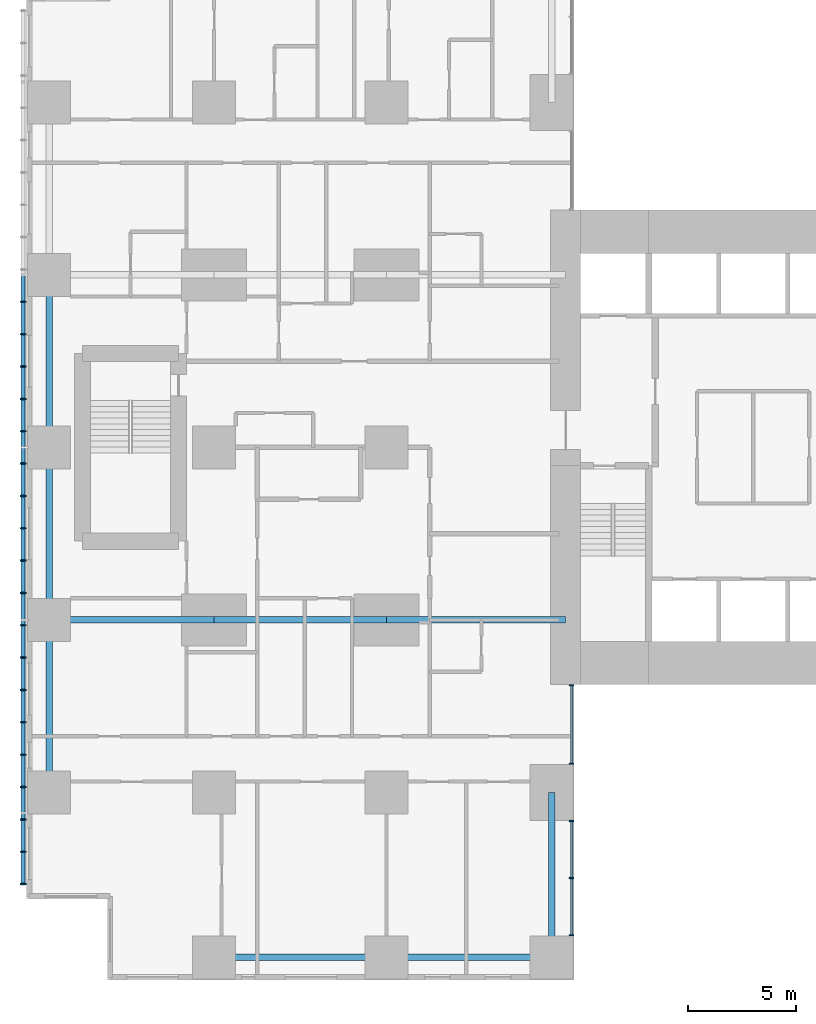
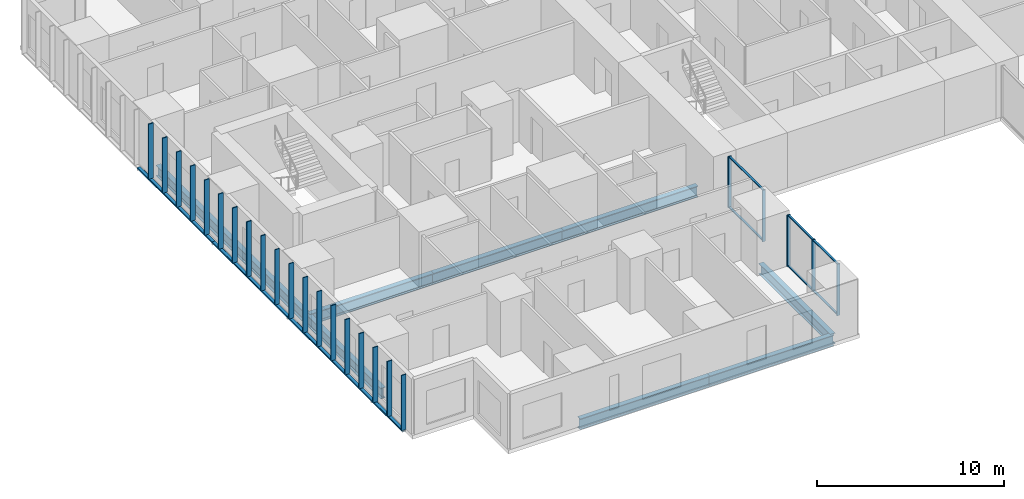
# One storey, part 2 of 21: 33 members, 9 beams, 2 elements without a shape of their own.
"""IFC4 building model written with IfcOpenShell, lengths in metres."""

import ifcopenshell
import ifcopenshell.guid

model = None  # the IFC model being written
_history = None  # IfcOwnerHistory: only IFC2X3 demands one
_inside = {}  # id of a spatial element -> (the spatial element, [elements in it])
_under = {}  # id of a project, library or spatial element -> (it, [spatial elements below it])
_declared = {}  # id of a project -> (the project, [libraries it declares])
_typed = {}  # id of a type object -> (the type object, [elements of that type])
_made_of = {}  # id of a material, layer set ... -> (it, [elements and type objects made of it])


def new_model(schema):
    """Start an empty IFC model of exactly this schema.

    Asked for "IFC4X3", IfcOpenShell would pick the latest addendum, in which some entities
    have other attributes; the version numbers below select the first issue.
    IFC2X3 requires an IfcOwnerHistory on every rooted entity: one is made here for all.
    """
    global model, _history
    if schema == "IFC4X3":
        model = ifcopenshell.file(schema_version=(4, 3, 0, 0))
    else:
        model = ifcopenshell.file(schema=schema)
    _inside.clear()
    _under.clear()
    _declared.clear()
    _typed.clear()
    _made_of.clear()
    _history = None
    if model.schema == "IFC2X3":
        org = make("IfcOrganization", Name="unknown")
        user = make(
            "IfcPersonAndOrganization",
            ThePerson=make("IfcPerson", FamilyName="unknown"),
            TheOrganization=org,
        )
        app = make(
            "IfcApplication",
            ApplicationDeveloper=org,
            Version="unknown",
            ApplicationFullName="unknown",
            ApplicationIdentifier="unknown",
        )
        _history = make(
            "IfcOwnerHistory",
            OwningUser=user,
            OwningApplication=app,
            ChangeAction="ADDED",
            CreationDate=0,
        )
    return model


def make(cls, **values):
    """One entity of the class cls with the attributes given. An attribute that is None is left unset."""
    return model.create_entity(
        cls, **{name: value for name, value in values.items() if value is not None}
    )


def rooted(cls, **values):
    """An entity with a GlobalId (a new one), such as an element, a storey or a relation."""
    return make(cls, GlobalId=ifcopenshell.guid.new(), OwnerHistory=_history, **values)


def si_unit(unit_type, name, prefix=None):
    """IfcSIUnit, for example si_unit("LENGTHUNIT", "METRE", prefix="MILLI")."""
    return make("IfcSIUnit", UnitType=unit_type, Prefix=prefix, Name=name)


def assignment(units):
    """IfcUnitAssignment: the units of a project."""
    return None if units is None else make("IfcUnitAssignment", Units=units)


def point(xyz):
    """IfcCartesianPoint."""
    return None if xyz is None else make("IfcCartesianPoint", Coordinates=xyz)


def direction(xyz):
    """IfcDirection."""
    return None if xyz is None else make("IfcDirection", DirectionRatios=xyz)


def frame(location, z_axis=None, x_axis=None):
    """IfcAxis2Placement3D, a coordinate frame: its origin and axes. An axis left out is left unset."""
    return make(
        "IfcAxis2Placement3D",
        Location=point(location),
        Axis=direction(z_axis),
        RefDirection=direction(x_axis),
    )


def frame_2d(location, x_axis=None):
    """IfcAxis2Placement2D, a coordinate frame in the plane: its origin and x axis."""
    return make(
        "IfcAxis2Placement2D", Location=point(location), RefDirection=direction(x_axis)
    )


def origin():
    """The frame at (0, 0, 0) with its axes left unset."""
    return frame((0.0, 0.0, 0.0))


def origin_2d():
    """The frame at (0, 0) in the plane with its x axis left unset."""
    return frame_2d((0.0, 0.0))


def place(relative_to, where):
    """IfcLocalPlacement: puts the frame where relative to a parent placement (None: the world)."""
    return make(
        "IfcLocalPlacement", PlacementRelTo=relative_to, RelativePlacement=where
    )


def context(
    kind, dimensions, precision=None, world=None, true_north=None, identifier=None
):
    """IfcGeometricRepresentationContext, for example the 3D "Model" context."""
    return make(
        "IfcGeometricRepresentationContext",
        ContextIdentifier=identifier,
        ContextType=kind,
        CoordinateSpaceDimension=dimensions,
        Precision=precision,
        WorldCoordinateSystem=world,
        TrueNorth=true_north,
    )


def subcontext(parent, identifier, kind, view, scale=None):
    """IfcGeometricRepresentationSubContext, for example "Body" below "Model"."""
    return make(
        "IfcGeometricRepresentationSubContext",
        ContextIdentifier=identifier,
        ContextType=kind,
        ParentContext=parent,
        TargetScale=scale,
        TargetView=view,
    )


def project(units=None, contexts=None):
    """IfcProject with its units and contexts."""
    return rooted(
        "IfcProject",
        Name="project",
        RepresentationContexts=contexts,
        UnitsInContext=assignment(units),
    )


def spatial(cls, under=None, at=None, **own):
    """A site, building, storey or space (cls), placed at a placement, below another one or the project."""
    s = rooted(cls, ObjectPlacement=at, **own)
    if under is not None:
        _under.setdefault(under.id(), (under, []))[1].append(s)
    return s


def profile(cls, at=None, kind="AREA", **sizes):
    """A parametric profile (cls). Its sizes go by their IFC names, for example OverallWidth=200.0."""
    return make(cls, ProfileType=kind, Position=at, **sizes)


def rectangle(**sizes):
    """IfcRectangleProfileDef."""
    return profile("IfcRectangleProfileDef", **sizes)


def hollow_rectangle(**sizes):
    """IfcRectangleHollowProfileDef."""
    return profile("IfcRectangleHollowProfileDef", **sizes)


def i_section(**sizes):
    """IfcIShapeProfileDef."""
    return profile("IfcIShapeProfileDef", **sizes)


def extrude(swept, where, along, depth):
    """IfcExtrudedAreaSolid: the profile swept, set in the frame where, extruded along a direction by depth."""
    return make(
        "IfcExtrudedAreaSolid",
        SweptArea=swept,
        Position=where,
        ExtrudedDirection=direction(along),
        Depth=depth,
    )


def shape(context_of_items, identifier, shape_type, items):
    """IfcShapeRepresentation: the items that make up one representation, for example the "Body"."""
    return make(
        "IfcShapeRepresentation",
        ContextOfItems=context_of_items,
        RepresentationIdentifier=identifier,
        RepresentationType=shape_type,
        Items=items,
    )


def material(Name=None, Category=None):
    """IfcMaterial."""
    return make("IfcMaterial", Name=Name, Category=Category)


def layer(
    of_material, thickness, ventilated=None, Name=None, Category=None, Priority=None
):
    """IfcMaterialLayer: one layer of a wall or slab, of a material (None: an air gap)."""
    return make(
        "IfcMaterialLayer",
        Material=of_material,
        LayerThickness=thickness,
        IsVentilated=ventilated,
        Name=Name,
        Category=Category,
        Priority=Priority,
    )


def layer_set(layers, Name=None):
    """IfcMaterialLayerSet."""
    return make("IfcMaterialLayerSet", MaterialLayers=layers, LayerSetName=Name)


def material_profile(
    of_material, cross_section, Name=None, Category=None, Priority=None
):
    """IfcMaterialProfile: a cross section and its material."""
    return make(
        "IfcMaterialProfile",
        Name=Name,
        Material=of_material,
        Profile=cross_section,
        Priority=Priority,
        Category=Category,
    )


def profile_set(profiles, Name=None, composite=None):
    """IfcMaterialProfileSet."""
    return make(
        "IfcMaterialProfileSet",
        Name=Name,
        MaterialProfiles=profiles,
        CompositeProfile=composite,
    )


def made_of(thing, what):
    """Note that an element or type object is made of a material, layer set ...; save() writes the relation."""
    if what is not None:
        _made_of.setdefault(what.id(), (what, []))[1].append(thing)
    return thing


def type_object(cls, material=None, **own):
    """A type object (cls), such as IfcWallType, which elements share."""
    return made_of(rooted(cls, **own), material)


def element(
    cls,
    number,
    at=None,
    inside=None,
    cuts=None,
    type_object=None,
    material=None,
    context=None,
    identifier="Body",
    shape_type=None,
    held_by="IfcProductDefinitionShape",
    body=None,
    shapes=None,
    **own,
):
    """One element of the class cls, such as IfcWall. Its Tag is "e" and its number.

    at: its placement. inside: the storey or other place that contains it. cuts: it is an
    opening in that element (IfcRelVoidsElement). A single representation is given by context,
    identifier, shape_type and body (its items); several are given by shapes. held_by: the class
    of the entity that holds the representations. save() writes the other relations.
    """
    e = rooted(cls, Tag="e%d" % number, ObjectPlacement=at, **own)
    if body is not None:
        shapes = [shape(context, identifier, shape_type, body)]
    if shapes is not None:
        e.Representation = make(held_by, Representations=shapes)
    if inside is not None:
        _inside.setdefault(inside.id(), (inside, []))[1].append(e)
    if cuts is not None:
        rooted(
            "IfcRelVoidsElement", RelatingBuildingElement=cuts, RelatedOpeningElement=e
        )
    if type_object is not None:
        _typed.setdefault(type_object.id(), (type_object, []))[1].append(e)
    return made_of(e, material)


def aggregate(whole, parts):
    """IfcRelAggregates: a whole, such as a stair, and the parts it consists of."""
    return rooted("IfcRelAggregates", RelatingObject=whole, RelatedObjects=parts)


def save(model, path):
    """Write the relations noted so far, then the file.

    IfcRelAggregates (storeys below a building ...), IfcRelContainedInSpatialStructure (elements
    in a storey), IfcRelDefinesByType, IfcRelAssociatesMaterial and IfcRelDeclares: one each for
    every whole, place, type object, material and project.
    """
    for whole, parts in _under.values():
        aggregate(whole, parts)
    for where, things in _inside.values():
        rooted(
            "IfcRelContainedInSpatialStructure",
            RelatedElements=things,
            RelatingStructure=where,
        )
    for kind, things in _typed.values():
        rooted("IfcRelDefinesByType", RelatedObjects=things, RelatingType=kind)
    for what, things in _made_of.values():
        rooted("IfcRelAssociatesMaterial", RelatedObjects=things, RelatingMaterial=what)
    for by, libraries in _declared.values():
        rooted("IfcRelDeclares", RelatingContext=by, RelatedDefinitions=libraries)
    model.write(path)


model = new_model("IFC4")

# Units and contexts
model_context = context("Model", 3, precision=1e-05, world=origin(), true_north=direction((0.0, 1.0)))
body_context = subcontext(model_context, "Body", "Model", "MODEL_VIEW")
ifc_project = project(units=[si_unit("LENGTHUNIT", "METRE"), si_unit("AREAUNIT", "SQUARE_METRE"), si_unit("VOLUMEUNIT", "CUBIC_METRE"), si_unit("PLANEANGLEUNIT", "RADIAN"), si_unit("MASSUNIT", "GRAM", prefix="KILO")], contexts=[model_context])

# Site, building, storey
site_placement = place(None, origin())
site = spatial("IfcSite", under=ifc_project, at=site_placement, CompositionType="ELEMENT")
building_placement = place(site_placement, origin())
building = spatial("IfcBuilding", under=site, at=building_placement, Name="Cleftline Residences", CompositionType="ELEMENT")
storey_placement = place(building_placement, frame((0.0, 0.0, 125.0)))
storey = spatial("IfcBuildingStorey", under=building, at=storey_placement, Name="L32", CompositionType="ELEMENT", Elevation=125.0)

# Members
ifc_material_1 = material(Name="Steel S355, hot-dip galvanised", Category="steel")
ifc_material_profile_1 = material_profile(ifc_material_1, hollow_rectangle(XDim=0.10009765625, YDim=0.199951171875, WallThickness=0.008056640625, InnerFilletRadius=0.008056640625, OuterFilletRadius=0.011962890625, at=origin_2d()))
ifc_profile_set_1 = profile_set([ifc_material_profile_1], Name="Steel S355, hot-dip galvanised")
member_type_1 = type_object("IfcMemberType", Name="BAGUETTE CARRIER RHS 200X100X8", PredefinedType="USERDEFINED", material=ifc_profile_set_1)
for number, where, z_axis, x_axis, name in (
    (1, (-0.85009765625, 32.0, -0.050048828125), (0.0, -1.0, 0.0), (0.0, 0.0, 1.0), "Baguette carrier"),
    (2, (-0.85009765625, 24.0, -0.050048828125), (0.0, -1.0, 0.0), (0.0, 0.0, 1.0), "Baguette carrier"),
):
    element("IfcMember", number, at=place(storey_placement, frame(where, z_axis=z_axis, x_axis=x_axis)), inside=storey, type_object=member_type_1, Name=name, ObjectType="BAGUETTE CARRIER", PredefinedType="USERDEFINED", context=body_context, shape_type="SweptSolid", body=[
        extrude(hollow_rectangle(XDim=0.10009765625, YDim=0.199951171875, WallThickness=0.008056640625, InnerFilletRadius=0.008056640625, OuterFilletRadius=0.011962890625, at=origin_2d()), origin(), (0.0, 0.0, 1.0), 8.0),
    ])
member_1_placement = place(storey_placement, frame((-0.85009765625, 16.0, -0.050048828125), z_axis=(0.0, -1.0, 0.0), x_axis=(0.0, 0.0, 1.0)))
element("IfcMember", 3, at=member_1_placement, inside=storey, type_object=member_type_1, Name="Baguette carrier", ObjectType="BAGUETTE CARRIER", PredefinedType="USERDEFINED", context=body_context, shape_type="SweptSolid", body=[
    extrude(hollow_rectangle(XDim=0.10009765625, YDim=0.199951171875, WallThickness=0.008056640625, InnerFilletRadius=0.008056640625, OuterFilletRadius=0.011962890625, at=origin_2d()), origin(), (0.0, 0.0, 1.0), 12.300048828125),
])

# Beams
ifc_material_2 = material(Name="Steel S355", Category="steel")
ifc_material_profile_2 = material_profile(ifc_material_2, i_section(OverallWidth=0.300048828125, OverallDepth=0.699951171875, WebThickness=0.01708984375, FlangeThickness=0.031982421875, FilletRadius=0.027099609375, at=origin_2d()))
ifc_profile_set_2 = profile_set([ifc_material_profile_2], Name="Steel S355")
beam_type_1 = type_object("IfcBeamType", Name="BEAM HEB 700", PredefinedType="BEAM", material=ifc_profile_set_2)
for number, where, z_axis, x_axis, name in (
    (4, (0.35009765625, 8.0, -0.60009765625), (0.0, 1.0, 0.0), (-1.0, 0.0, 0.0), "Edge beam"),
    (5, (0.35009765625, 16.0, -0.60009765625), (0.0, 1.0, 0.0), (-1.0, 0.0, 0.0), "Edge beam"),
    (6, (0.35009765625, 24.0, -0.60009765625), (0.0, 1.0, 0.0), (-1.0, 0.0, 0.0), "Edge beam"),
    (7, (8.0, 0.35009765625, -0.60009765625), (1.0, 0.0, 0.0), (0.0, 1.0, 0.0), "Edge beam"),
):
    element("IfcBeam", number, at=place(storey_placement, frame(where, z_axis=z_axis, x_axis=x_axis)), inside=storey, type_object=beam_type_1, Name=name, PredefinedType="BEAM", context=body_context, shape_type="SweptSolid", body=[
        extrude(i_section(OverallWidth=0.300048828125, OverallDepth=0.699951171875, WebThickness=0.01708984375, FlangeThickness=0.031982421875, FilletRadius=0.027099609375, at=origin_2d()), origin(), (0.0, 0.0, 1.0), 8.0),
    ])
for number, where, z_axis, x_axis, name in (
    (8, (16.0, 0.35009765625, -0.60009765625), (1.0, 0.0, 0.0), (0.0, 1.0, 0.0), "Edge beam"),
    (9, (23.64990234375, 0.35009765625, -0.60009765625), (0.0, 1.0, 0.0), (-1.0, 0.0, 0.0), "Edge beam"),
):
    element("IfcBeam", number, at=place(storey_placement, frame(where, z_axis=z_axis, x_axis=x_axis)), inside=storey, type_object=beam_type_1, Name=name, PredefinedType="BEAM", context=body_context, shape_type="SweptSolid", body=[
        extrude(i_section(OverallWidth=0.300048828125, OverallDepth=0.699951171875, WebThickness=0.01708984375, FlangeThickness=0.031982421875, FilletRadius=0.027099609375, at=origin_2d()), origin(), (0.0, 0.0, 1.0), 7.64990234375),
    ])
ifc_material_3 = material(Name="Steel S355", Category="steel")
ifc_material_profile_3 = material_profile(ifc_material_3, i_section(OverallWidth=0.303955078125, OverallDepth=0.716064453125, WebThickness=0.02099609375, FlangeThickness=0.0400390625, FilletRadius=0.027099609375, at=origin_2d()))
ifc_profile_set_3 = profile_set([ifc_material_profile_3], Name="Steel S355")
beam_type_2 = type_object("IfcBeamType", Name="BEAM HEM 700", PredefinedType="BEAM", material=ifc_profile_set_3)
beam_1_placement = place(storey_placement, frame((0.35009765625, 16.0, -0.60791015625), z_axis=(1.0, 0.0, 0.0), x_axis=(0.0, 1.0, 0.0)))
element("IfcBeam", 10, at=beam_1_placement, inside=storey, type_object=beam_type_2, Name="Band beam", PredefinedType="BEAM", context=body_context, shape_type="SweptSolid", body=[
    extrude(i_section(OverallWidth=0.303955078125, OverallDepth=0.716064453125, WebThickness=0.02099609375, FlangeThickness=0.0400390625, FilletRadius=0.027099609375, at=origin_2d()), origin(), (0.0, 0.0, 1.0), 7.64990234375),
])
beam_2_placement = place(storey_placement, frame((8.0, 16.0, -0.60791015625), z_axis=(1.0, 0.0, 0.0), x_axis=(0.0, 1.0, 0.0)))
element("IfcBeam", 11, at=beam_2_placement, inside=storey, type_object=beam_type_2, Name="Band beam", PredefinedType="BEAM", context=body_context, shape_type="SweptSolid", body=[
    extrude(i_section(OverallWidth=0.303955078125, OverallDepth=0.716064453125, WebThickness=0.02099609375, FlangeThickness=0.0400390625, FilletRadius=0.027099609375, at=origin_2d()), origin(), (0.0, 0.0, 1.0), 8.0),
])
beam_3_placement = place(storey_placement, frame((16.0, 16.0, -0.60791015625), z_axis=(1.0, 0.0, 0.0), x_axis=(0.0, 1.0, 0.0)))
element("IfcBeam", 12, at=beam_3_placement, inside=storey, type_object=beam_type_2, Name="Band beam", PredefinedType="BEAM", context=body_context, shape_type="SweptSolid", body=[
    extrude(i_section(OverallWidth=0.303955078125, OverallDepth=0.716064453125, WebThickness=0.02099609375, FlangeThickness=0.0400390625, FilletRadius=0.027099609375, at=origin_2d()), origin(), (0.0, 0.0, 1.0), 8.300048828125),
])

# Curtain wall, members
ifc_material_4 = material(Name="Aluminium framed curtain wall", Category="aluminium")
ifc_layer = layer(ifc_material_4, 0.199951171875)
ifc_layer_set = layer_set([ifc_layer], Name="CW1 CLEFT GLAZING")
curtain_wall_type = type_object("IfcCurtainWallType", Name="CW1 CLEFT GLAZING", PredefinedType="NOTDEFINED", material=ifc_layer_set)
curtain_wall_1_placement = place(storey_placement, origin())
curtain_wall_1 = element("IfcCurtainWall", 13, at=curtain_wall_1_placement, inside=storey, type_object=curtain_wall_type, Name="Curtain wall CW1", PredefinedType="NOTDEFINED")
ifc_material_5 = material(Name="Aluminium mullion", Category="aluminium")
ifc_material_profile_4 = material_profile(ifc_material_5, rectangle(XDim=0.199951171875, YDim=0.06005859375, at=origin_2d()))
ifc_profile_set_4 = profile_set([ifc_material_profile_4], Name="Aluminium mullion")
member_type_2 = type_object("IfcMemberType", Name="CW1 MULLION", PredefinedType="MULLION", material=ifc_profile_set_4)
member_2_placement = place(storey_placement, frame((24.574951171875, 1.3798828125, 0.0), z_axis=(0.0, 0.0, 1.0), x_axis=(-1.0, 0.0, 0.0)))
member_2 = element("IfcMember", 14, at=member_2_placement, type_object=member_type_2, Name="CW1 mullion 1", PredefinedType="MULLION", context=body_context, shape_type="SweptSolid", body=[
    extrude(rectangle(XDim=0.199951171875, YDim=0.06005859375, at=origin_2d()), origin(), (0.0, 0.0, 1.0), 3.35009765625),
])
member_3_placement = place(storey_placement, frame((24.574951171875, 4.02490234375, 0.0), z_axis=(0.0, 0.0, 1.0), x_axis=(-1.0, 0.0, 0.0)))
member_3 = element("IfcMember", 15, at=member_3_placement, type_object=member_type_2, Name="CW1 mullion 2", PredefinedType="MULLION", context=body_context, shape_type="SweptSolid", body=[
    extrude(rectangle(XDim=0.199951171875, YDim=0.06005859375, at=origin_2d()), origin(), (0.0, 0.0, 1.0), 3.35009765625),
])
member_4_placement = place(storey_placement, frame((24.574951171875, 6.669921875, 0.0), z_axis=(0.0, 0.0, 1.0), x_axis=(-1.0, 0.0, 0.0)))
member_4 = element("IfcMember", 16, at=member_4_placement, type_object=member_type_2, Name="CW1 mullion 3", PredefinedType="MULLION", context=body_context, shape_type="SweptSolid", body=[
    extrude(rectangle(XDim=0.199951171875, YDim=0.06005859375, at=origin_2d()), origin(), (0.0, 0.0, 1.0), 3.35009765625),
])

curtain_wall_2_placement = place(storey_placement, origin())
curtain_wall_2 = element("IfcCurtainWall", 17, at=curtain_wall_2_placement, inside=storey, type_object=curtain_wall_type, Name="Curtain wall CW1", PredefinedType="NOTDEFINED")
member_5_placement = place(storey_placement, frame((24.574951171875, 9.330078125, 0.0), z_axis=(0.0, 0.0, 1.0), x_axis=(-1.0, 0.0, 0.0)))
member_5 = element("IfcMember", 18, at=member_5_placement, type_object=member_type_2, Name="CW1 mullion 1", PredefinedType="MULLION", context=body_context, shape_type="SweptSolid", body=[
    extrude(rectangle(XDim=0.199951171875, YDim=0.06005859375, at=origin_2d()), origin(), (0.0, 0.0, 1.0), 3.35009765625),
])
member_6_placement = place(storey_placement, frame((24.574951171875, 12.969970703125, 0.0), z_axis=(0.0, 0.0, 1.0), x_axis=(-1.0, 0.0, 0.0)))
member_6 = element("IfcMember", 19, at=member_6_placement, type_object=member_type_2, Name="CW1 mullion 2", PredefinedType="MULLION", context=body_context, shape_type="SweptSolid", body=[
    extrude(rectangle(XDim=0.199951171875, YDim=0.06005859375, at=origin_2d()), origin(), (0.0, 0.0, 1.0), 3.35009765625),
])

# Member
ifc_material_6 = material(Name="Aluminium transom", Category="aluminium")
ifc_material_profile_5 = material_profile(ifc_material_6, rectangle(XDim=0.1201171875, YDim=0.06005859375, at=origin_2d()))
ifc_profile_set_5 = profile_set([ifc_material_profile_5], Name="Aluminium transom")
member_type_3 = type_object("IfcMemberType", Name="CW1 TRANSOM", PredefinedType="USERDEFINED", material=ifc_profile_set_5)
member_7_placement = place(storey_placement, frame((24.574951171875, 1.409912109375, 0.030029296875), z_axis=(0.0, 1.0, 0.0), x_axis=(-1.0, 0.0, 0.0)))
member_7 = element("IfcMember", 20, at=member_7_placement, type_object=member_type_3, Name="CW1 transom 1.1", ObjectType="TRANSOM", PredefinedType="USERDEFINED", context=body_context, shape_type="SweptSolid", body=[
    extrude(rectangle(XDim=0.1201171875, YDim=0.06005859375, at=origin_2d()), origin(), (0.0, 0.0, 1.0), 2.585205078125),
])

member_8_placement = place(storey_placement, frame((24.574951171875, 1.409912109375, 3.320068359375), z_axis=(0.0, 1.0, 0.0), x_axis=(-1.0, 0.0, 0.0)))
member_8 = element("IfcMember", 21, at=member_8_placement, type_object=member_type_3, Name="CW1 transom 1.2", ObjectType="TRANSOM", PredefinedType="USERDEFINED", context=body_context, shape_type="SweptSolid", body=[
    extrude(rectangle(XDim=0.1201171875, YDim=0.06005859375, at=origin_2d()), origin(), (0.0, 0.0, 1.0), 2.585205078125),
])

member_9_placement = place(storey_placement, frame((24.574951171875, 4.054931640625, 0.030029296875), z_axis=(0.0, 1.0, 0.0), x_axis=(-1.0, 0.0, 0.0)))
member_9 = element("IfcMember", 22, at=member_9_placement, type_object=member_type_3, Name="CW1 transom 2.1", ObjectType="TRANSOM", PredefinedType="USERDEFINED", context=body_context, shape_type="SweptSolid", body=[
    extrude(rectangle(XDim=0.1201171875, YDim=0.06005859375, at=origin_2d()), origin(), (0.0, 0.0, 1.0), 2.5849609375),
])

member_10_placement = place(storey_placement, frame((24.574951171875, 4.054931640625, 3.320068359375), z_axis=(0.0, 1.0, 0.0), x_axis=(-1.0, 0.0, 0.0)))
member_10 = element("IfcMember", 23, at=member_10_placement, type_object=member_type_3, Name="CW1 transom 2.2", ObjectType="TRANSOM", PredefinedType="USERDEFINED", context=body_context, shape_type="SweptSolid", body=[
    extrude(rectangle(XDim=0.1201171875, YDim=0.06005859375, at=origin_2d()), origin(), (0.0, 0.0, 1.0), 2.5849609375),
])

aggregate(curtain_wall_1, [member_2, member_3, member_4, member_7, member_8, member_9, member_10])

member_11_placement = place(storey_placement, frame((24.574951171875, 9.360107421875, 0.030029296875), z_axis=(0.0, 1.0, 0.0), x_axis=(-1.0, 0.0, 0.0)))
member_11 = element("IfcMember", 24, at=member_11_placement, type_object=member_type_3, Name="CW1 transom 1.1", ObjectType="TRANSOM", PredefinedType="USERDEFINED", context=body_context, shape_type="SweptSolid", body=[
    extrude(rectangle(XDim=0.1201171875, YDim=0.06005859375, at=origin_2d()), origin(), (0.0, 0.0, 1.0), 3.579833984375),
])

member_12_placement = place(storey_placement, frame((24.574951171875, 9.360107421875, 3.320068359375), z_axis=(0.0, 1.0, 0.0), x_axis=(-1.0, 0.0, 0.0)))
member_12 = element("IfcMember", 25, at=member_12_placement, type_object=member_type_3, Name="CW1 transom 1.2", ObjectType="TRANSOM", PredefinedType="USERDEFINED", context=body_context, shape_type="SweptSolid", body=[
    extrude(rectangle(XDim=0.1201171875, YDim=0.06005859375, at=origin_2d()), origin(), (0.0, 0.0, 1.0), 3.579833984375),
])

aggregate(curtain_wall_2, [member_5, member_6, member_11, member_12])

# Members
ifc_material_7 = material(Name="Extruded terracotta", Category="masonry")
ifc_material_profile_6 = material_profile(ifc_material_7, rectangle(XDim=0.06005859375, YDim=0.300048828125, at=origin_2d()))
ifc_profile_set_6 = profile_set([ifc_material_profile_6], Name="Extruded terracotta")
member_type_4 = type_object("IfcMemberType", Name="TERRACOTTA BAGUETTE 60X300", PredefinedType="USERDEFINED", material=ifc_profile_set_6)
for number, where, z_axis, x_axis, name in (
    (26, (-0.85009765625, 30.75, 0.0), (0.0, 0.0, 1.0), (0.0, 1.0, 0.0), "Terracotta baguette"),
    (27, (-0.85009765625, 29.25, 0.0), (0.0, 0.0, 1.0), (0.0, 1.0, 0.0), "Terracotta baguette"),
    (28, (-0.85009765625, 27.75, 0.0), (0.0, 0.0, 1.0), (0.0, 1.0, 0.0), "Terracotta baguette"),
    (29, (-0.85009765625, 26.25, 0.0), (0.0, 0.0, 1.0), (0.0, 1.0, 0.0), "Terracotta baguette"),
    (30, (-0.85009765625, 24.75, 0.0), (0.0, 0.0, 1.0), (0.0, 1.0, 0.0), "Terracotta baguette"),
    (31, (-0.85009765625, 23.25, 0.0), (0.0, 0.0, 1.0), (0.0, 1.0, 0.0), "Terracotta baguette"),
    (32, (-0.85009765625, 21.75, 0.0), (0.0, 0.0, 1.0), (0.0, 1.0, 0.0), "Terracotta baguette"),
    (33, (-0.85009765625, 20.25, 0.0), (0.0, 0.0, 1.0), (0.0, 1.0, 0.0), "Terracotta baguette"),
    (34, (-0.85009765625, 18.75, 0.0), (0.0, 0.0, 1.0), (0.0, 1.0, 0.0), "Terracotta baguette"),
    (35, (-0.85009765625, 17.25, 0.0), (0.0, 0.0, 1.0), (0.0, 1.0, 0.0), "Terracotta baguette"),
    (36, (-0.85009765625, 15.75, 0.0), (0.0, 0.0, 1.0), (0.0, 1.0, 0.0), "Terracotta baguette"),
    (37, (-0.85009765625, 14.25, 0.0), (0.0, 0.0, 1.0), (0.0, 1.0, 0.0), "Terracotta baguette"),
    (38, (-0.85009765625, 12.75, 0.0), (0.0, 0.0, 1.0), (0.0, 1.0, 0.0), "Terracotta baguette"),
    (39, (-0.85009765625, 11.25, 0.0), (0.0, 0.0, 1.0), (0.0, 1.0, 0.0), "Terracotta baguette"),
    (40, (-0.85009765625, 9.75, 0.0), (0.0, 0.0, 1.0), (0.0, 1.0, 0.0), "Terracotta baguette"),
    (41, (-0.85009765625, 8.25, 0.0), (0.0, 0.0, 1.0), (0.0, 1.0, 0.0), "Terracotta baguette"),
    (42, (-0.85009765625, 6.75, 0.0), (0.0, 0.0, 1.0), (0.0, 1.0, 0.0), "Terracotta baguette"),
    (43, (-0.85009765625, 5.25, 0.0), (0.0, 0.0, 1.0), (0.0, 1.0, 0.0), "Terracotta baguette"),
    (44, (-0.85009765625, 3.75, 0.0), (0.0, 0.0, 1.0), (0.0, 1.0, 0.0), "Terracotta baguette"),
):
    element("IfcMember", number, at=place(storey_placement, frame(where, z_axis=z_axis, x_axis=x_axis)), inside=storey, type_object=member_type_4, Name=name, ObjectType="BAGUETTE", PredefinedType="USERDEFINED", context=body_context, shape_type="SweptSolid", body=[
        extrude(rectangle(XDim=0.06005859375, YDim=0.300048828125, at=origin_2d()), origin(), (0.0, 0.0, 1.0), 3.60009765625),
    ])

save(model, "model.ifc")
